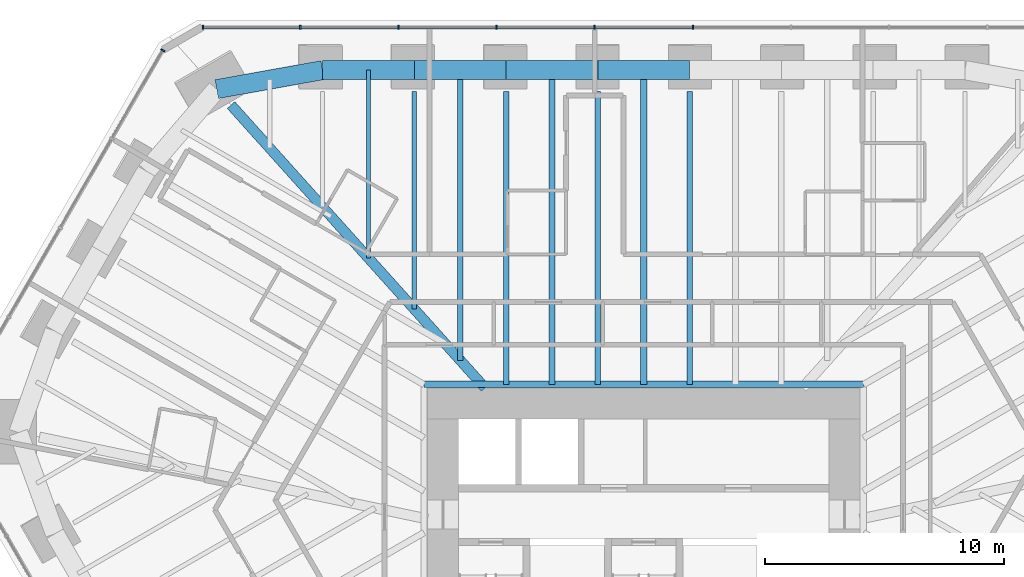
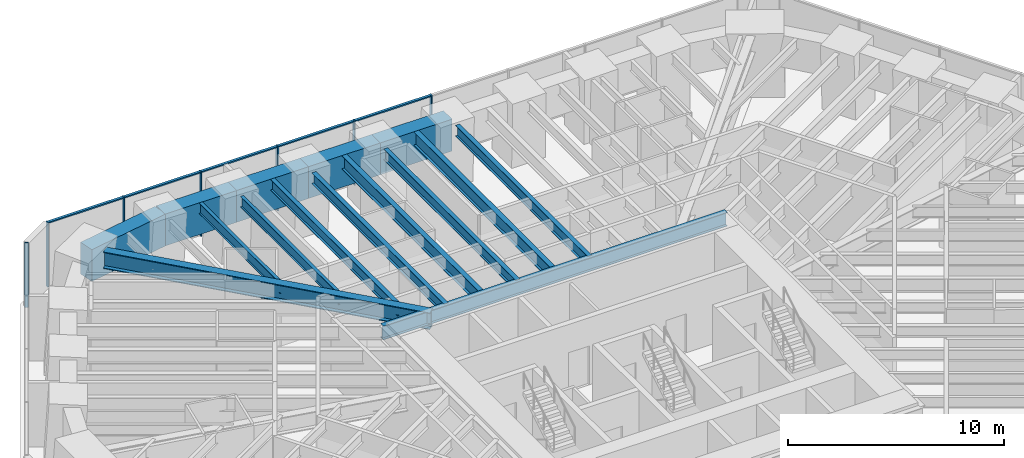
# One storey, part 8 of 18: 15 beams, 12 members, 2 elements without a shape of their own.
"""IFC4 building model written with IfcOpenShell, lengths in metres."""

import ifcopenshell
import ifcopenshell.guid

model = None  # the IFC model being written
_history = None  # IfcOwnerHistory: only IFC2X3 demands one
_inside = {}  # id of a spatial element -> (the spatial element, [elements in it])
_under = {}  # id of a project, library or spatial element -> (it, [spatial elements below it])
_declared = {}  # id of a project -> (the project, [libraries it declares])
_typed = {}  # id of a type object -> (the type object, [elements of that type])
_made_of = {}  # id of a material, layer set ... -> (it, [elements and type objects made of it])


def new_model(schema):
    """Start an empty IFC model of exactly this schema.

    Asked for "IFC4X3", IfcOpenShell would pick the latest addendum, in which some entities
    have other attributes; the version numbers below select the first issue.
    IFC2X3 requires an IfcOwnerHistory on every rooted entity: one is made here for all.
    """
    global model, _history
    if schema == "IFC4X3":
        model = ifcopenshell.file(schema_version=(4, 3, 0, 0))
    else:
        model = ifcopenshell.file(schema=schema)
    _inside.clear()
    _under.clear()
    _declared.clear()
    _typed.clear()
    _made_of.clear()
    _history = None
    if model.schema == "IFC2X3":
        org = make("IfcOrganization", Name="unknown")
        user = make(
            "IfcPersonAndOrganization",
            ThePerson=make("IfcPerson", FamilyName="unknown"),
            TheOrganization=org,
        )
        app = make(
            "IfcApplication",
            ApplicationDeveloper=org,
            Version="unknown",
            ApplicationFullName="unknown",
            ApplicationIdentifier="unknown",
        )
        _history = make(
            "IfcOwnerHistory",
            OwningUser=user,
            OwningApplication=app,
            ChangeAction="ADDED",
            CreationDate=0,
        )
    return model


def make(cls, **values):
    """One entity of the class cls with the attributes given. An attribute that is None is left unset."""
    return model.create_entity(
        cls, **{name: value for name, value in values.items() if value is not None}
    )


def rooted(cls, **values):
    """An entity with a GlobalId (a new one), such as an element, a storey or a relation."""
    return make(cls, GlobalId=ifcopenshell.guid.new(), OwnerHistory=_history, **values)


def si_unit(unit_type, name, prefix=None):
    """IfcSIUnit, for example si_unit("LENGTHUNIT", "METRE", prefix="MILLI")."""
    return make("IfcSIUnit", UnitType=unit_type, Prefix=prefix, Name=name)


def assignment(units):
    """IfcUnitAssignment: the units of a project."""
    return None if units is None else make("IfcUnitAssignment", Units=units)


def point(xyz):
    """IfcCartesianPoint."""
    return None if xyz is None else make("IfcCartesianPoint", Coordinates=xyz)


def direction(xyz):
    """IfcDirection."""
    return None if xyz is None else make("IfcDirection", DirectionRatios=xyz)


def frame(location, z_axis=None, x_axis=None):
    """IfcAxis2Placement3D, a coordinate frame: its origin and axes. An axis left out is left unset."""
    return make(
        "IfcAxis2Placement3D",
        Location=point(location),
        Axis=direction(z_axis),
        RefDirection=direction(x_axis),
    )


def frame_2d(location, x_axis=None):
    """IfcAxis2Placement2D, a coordinate frame in the plane: its origin and x axis."""
    return make(
        "IfcAxis2Placement2D", Location=point(location), RefDirection=direction(x_axis)
    )


def origin():
    """The frame at (0, 0, 0) with its axes left unset."""
    return frame((0.0, 0.0, 0.0))


def origin_2d():
    """The frame at (0, 0) in the plane with its x axis left unset."""
    return frame_2d((0.0, 0.0))


def place(relative_to, where):
    """IfcLocalPlacement: puts the frame where relative to a parent placement (None: the world)."""
    return make(
        "IfcLocalPlacement", PlacementRelTo=relative_to, RelativePlacement=where
    )


def context(
    kind, dimensions, precision=None, world=None, true_north=None, identifier=None
):
    """IfcGeometricRepresentationContext, for example the 3D "Model" context."""
    return make(
        "IfcGeometricRepresentationContext",
        ContextIdentifier=identifier,
        ContextType=kind,
        CoordinateSpaceDimension=dimensions,
        Precision=precision,
        WorldCoordinateSystem=world,
        TrueNorth=true_north,
    )


def subcontext(parent, identifier, kind, view, scale=None):
    """IfcGeometricRepresentationSubContext, for example "Body" below "Model"."""
    return make(
        "IfcGeometricRepresentationSubContext",
        ContextIdentifier=identifier,
        ContextType=kind,
        ParentContext=parent,
        TargetScale=scale,
        TargetView=view,
    )


def project(units=None, contexts=None):
    """IfcProject with its units and contexts."""
    return rooted(
        "IfcProject",
        Name="project",
        RepresentationContexts=contexts,
        UnitsInContext=assignment(units),
    )


def spatial(cls, under=None, at=None, **own):
    """A site, building, storey or space (cls), placed at a placement, below another one or the project."""
    s = rooted(cls, ObjectPlacement=at, **own)
    if under is not None:
        _under.setdefault(under.id(), (under, []))[1].append(s)
    return s


def profile(cls, at=None, kind="AREA", **sizes):
    """A parametric profile (cls). Its sizes go by their IFC names, for example OverallWidth=200.0."""
    return make(cls, ProfileType=kind, Position=at, **sizes)


def rectangle(**sizes):
    """IfcRectangleProfileDef."""
    return profile("IfcRectangleProfileDef", **sizes)


def i_section(**sizes):
    """IfcIShapeProfileDef."""
    return profile("IfcIShapeProfileDef", **sizes)


def extrude(swept, where, along, depth):
    """IfcExtrudedAreaSolid: the profile swept, set in the frame where, extruded along a direction by depth."""
    return make(
        "IfcExtrudedAreaSolid",
        SweptArea=swept,
        Position=where,
        ExtrudedDirection=direction(along),
        Depth=depth,
    )


def shape(context_of_items, identifier, shape_type, items):
    """IfcShapeRepresentation: the items that make up one representation, for example the "Body"."""
    return make(
        "IfcShapeRepresentation",
        ContextOfItems=context_of_items,
        RepresentationIdentifier=identifier,
        RepresentationType=shape_type,
        Items=items,
    )


def material(Name=None, Category=None):
    """IfcMaterial."""
    return make("IfcMaterial", Name=Name, Category=Category)


def material_profile(
    of_material, cross_section, Name=None, Category=None, Priority=None
):
    """IfcMaterialProfile: a cross section and its material."""
    return make(
        "IfcMaterialProfile",
        Name=Name,
        Material=of_material,
        Profile=cross_section,
        Priority=Priority,
        Category=Category,
    )


def profile_set(profiles, Name=None, composite=None):
    """IfcMaterialProfileSet."""
    return make(
        "IfcMaterialProfileSet",
        Name=Name,
        MaterialProfiles=profiles,
        CompositeProfile=composite,
    )


def made_of(thing, what):
    """Note that an element or type object is made of a material, layer set ...; save() writes the relation."""
    if what is not None:
        _made_of.setdefault(what.id(), (what, []))[1].append(thing)
    return thing


def type_object(cls, material=None, **own):
    """A type object (cls), such as IfcWallType, which elements share."""
    return made_of(rooted(cls, **own), material)


def element(
    cls,
    number,
    at=None,
    inside=None,
    cuts=None,
    type_object=None,
    material=None,
    context=None,
    identifier="Body",
    shape_type=None,
    held_by="IfcProductDefinitionShape",
    body=None,
    shapes=None,
    **own,
):
    """One element of the class cls, such as IfcWall. Its Tag is "e" and its number.

    at: its placement. inside: the storey or other place that contains it. cuts: it is an
    opening in that element (IfcRelVoidsElement). A single representation is given by context,
    identifier, shape_type and body (its items); several are given by shapes. held_by: the class
    of the entity that holds the representations. save() writes the other relations.
    """
    e = rooted(cls, Tag="e%d" % number, ObjectPlacement=at, **own)
    if body is not None:
        shapes = [shape(context, identifier, shape_type, body)]
    if shapes is not None:
        e.Representation = make(held_by, Representations=shapes)
    if inside is not None:
        _inside.setdefault(inside.id(), (inside, []))[1].append(e)
    if cuts is not None:
        rooted(
            "IfcRelVoidsElement", RelatingBuildingElement=cuts, RelatedOpeningElement=e
        )
    if type_object is not None:
        _typed.setdefault(type_object.id(), (type_object, []))[1].append(e)
    return made_of(e, material)


def aggregate(whole, parts):
    """IfcRelAggregates: a whole, such as a stair, and the parts it consists of."""
    return rooted("IfcRelAggregates", RelatingObject=whole, RelatedObjects=parts)


def save(model, path):
    """Write the relations noted so far, then the file.

    IfcRelAggregates (storeys below a building ...), IfcRelContainedInSpatialStructure (elements
    in a storey), IfcRelDefinesByType, IfcRelAssociatesMaterial and IfcRelDeclares: one each for
    every whole, place, type object, material and project.
    """
    for whole, parts in _under.values():
        aggregate(whole, parts)
    for where, things in _inside.values():
        rooted(
            "IfcRelContainedInSpatialStructure",
            RelatedElements=things,
            RelatingStructure=where,
        )
    for kind, things in _typed.values():
        rooted("IfcRelDefinesByType", RelatedObjects=things, RelatingType=kind)
    for what, things in _made_of.values():
        rooted("IfcRelAssociatesMaterial", RelatedObjects=things, RelatingMaterial=what)
    for by, libraries in _declared.values():
        rooted("IfcRelDeclares", RelatingContext=by, RelatedDefinitions=libraries)
    model.write(path)


model = new_model("IFC4")

# Units and contexts
model_context = context("Model", 3, precision=1e-05, world=origin(), true_north=direction((0.0, 1.0)))
body_context = subcontext(model_context, "Body", "Model", "MODEL_VIEW")
ifc_project = project(units=[si_unit("LENGTHUNIT", "METRE"), si_unit("AREAUNIT", "SQUARE_METRE"), si_unit("VOLUMEUNIT", "CUBIC_METRE"), si_unit("PLANEANGLEUNIT", "RADIAN"), si_unit("MASSUNIT", "GRAM", prefix="KILO")], contexts=[model_context])

# Site, building, storey
site_placement = place(None, origin())
site = spatial("IfcSite", under=ifc_project, at=site_placement, CompositionType="ELEMENT")
building_placement = place(site_placement, origin())
building = spatial("IfcBuilding", under=site, at=building_placement, Name="Sandreach Pilgrim Tower", CompositionType="ELEMENT")
storey_placement = place(building_placement, frame((0.0, 0.0, 157.60009765625)))
storey = spatial("IfcBuildingStorey", under=building, at=storey_placement, Name="L39", CompositionType="ELEMENT", Elevation=157.60009765625)

# Curtain wall, members
ifc_material_1 = material(Name="Aluminium framed curtain wall", Category="aluminium")
curtain_wall_type = type_object("IfcCurtainWallType", Name="Hotel tower curtain wall", PredefinedType="NOTDEFINED", material=ifc_material_1)
curtain_wall_1_placement = place(storey_placement, origin())
curtain_wall_1 = element("IfcCurtainWall", 1, at=curtain_wall_1_placement, inside=storey, type_object=curtain_wall_type, Name="CW-2 L39 N", PredefinedType="NOTDEFINED")
ifc_material_2 = material(Name="Aluminium extrusion", Category="aluminium")
ifc_material_profile_1 = material_profile(ifc_material_2, rectangle(XDim=0.06494140625, YDim=0.179931640625, at=origin_2d()), Name="CW-2M 65X180")
ifc_profile_set_1 = profile_set([ifc_material_profile_1], Name="Aluminium extrusion")
member_type_1 = type_object("IfcMemberType", Name="CW-2 mullion", PredefinedType="MULLION", material=ifc_profile_set_1)
member_1_placement = place(storey_placement, frame((-18.448974609375, 22.493896484375, 0.0), z_axis=(0.0, 0.0, 1.0), x_axis=(1.0, 0.0, 0.0)))
member_1 = element("IfcMember", 2, at=member_1_placement, type_object=member_type_1, Name="CW-2 mullion 1", PredefinedType="MULLION", context=body_context, shape_type="SweptSolid", body=[
    extrude(rectangle(XDim=0.06494140625, YDim=0.179931640625, at=origin_2d()), origin(), (0.0, 0.0, 1.0), 3.639892578125),
])
member_2_placement = place(storey_placement, frame((-14.37451171875, 22.493896484375, 0.0), z_axis=(0.0, 0.0, 1.0), x_axis=(1.0, 0.0, 0.0)))
member_2 = element("IfcMember", 3, at=member_2_placement, type_object=member_type_1, Name="CW-2 mullion 2", PredefinedType="MULLION", context=body_context, shape_type="SweptSolid", body=[
    extrude(rectangle(XDim=0.06494140625, YDim=0.179931640625, at=origin_2d()), origin(), (0.0, 0.0, 1.0), 3.639892578125),
])
member_3_placement = place(storey_placement, frame((-10.267333984375, 22.493896484375, 0.0), z_axis=(0.0, 0.0, 1.0), x_axis=(1.0, 0.0, 0.0)))
member_3 = element("IfcMember", 4, at=member_3_placement, type_object=member_type_1, Name="CW-2 mullion 3", PredefinedType="MULLION", context=body_context, shape_type="SweptSolid", body=[
    extrude(rectangle(XDim=0.06494140625, YDim=0.179931640625, at=origin_2d()), origin(), (0.0, 0.0, 1.0), 3.639892578125),
])
member_4_placement = place(storey_placement, frame((-6.160400390625, 22.493896484375, 0.0), z_axis=(0.0, 0.0, 1.0), x_axis=(1.0, 0.0, 0.0)))
member_4 = element("IfcMember", 5, at=member_4_placement, type_object=member_type_1, Name="CW-2 mullion 4", PredefinedType="MULLION", context=body_context, shape_type="SweptSolid", body=[
    extrude(rectangle(XDim=0.06494140625, YDim=0.179931640625, at=origin_2d()), origin(), (0.0, 0.0, 1.0), 3.639892578125),
])
member_5_placement = place(storey_placement, frame((-2.053466796875, 22.493896484375, 0.0), z_axis=(0.0, 0.0, 1.0), x_axis=(1.0, 0.0, 0.0)))
member_5 = element("IfcMember", 6, at=member_5_placement, type_object=member_type_1, Name="CW-2 mullion 5", PredefinedType="MULLION", context=body_context, shape_type="SweptSolid", body=[
    extrude(rectangle(XDim=0.06494140625, YDim=0.179931640625, at=origin_2d()), origin(), (0.0, 0.0, 1.0), 3.639892578125),
])
member_6_placement = place(storey_placement, frame((2.053466796875, 22.493896484375, 0.0), z_axis=(0.0, 0.0, 1.0), x_axis=(1.0, 0.0, 0.0)))
member_6 = element("IfcMember", 7, at=member_6_placement, type_object=member_type_1, Name="CW-2 mullion 6", PredefinedType="MULLION", context=body_context, shape_type="SweptSolid", body=[
    extrude(rectangle(XDim=0.06494140625, YDim=0.179931640625, at=origin_2d()), origin(), (0.0, 0.0, 1.0), 3.639892578125),
])

# Curtain wall, member
curtain_wall_2_placement = place(storey_placement, origin())
curtain_wall_2 = element("IfcCurtainWall", 8, at=curtain_wall_2_placement, inside=storey, type_object=curtain_wall_type, Name="CW-2 L39 NW", PredefinedType="NOTDEFINED")
member_7_placement = place(storey_placement, frame((-20.125732421875, 21.525634765625, 0.0), z_axis=(0.0, 0.0, 1.0), x_axis=(0.5, 0.866025403784, 0.0)))
member_7 = element("IfcMember", 9, at=member_7_placement, type_object=member_type_1, Name="CW-2 mullion 5", PredefinedType="MULLION", context=body_context, shape_type="SweptSolid", body=[
    extrude(rectangle(XDim=0.06494140625, YDim=0.179931640625, at=origin_2d()), origin(), (0.0, 0.0, 1.0), 3.639892578125),
])
aggregate(curtain_wall_2, [member_7])

# Member
ifc_material_3 = material(Name="Aluminium extrusion", Category="aluminium")
ifc_material_profile_2 = material_profile(ifc_material_3, rectangle(XDim=0.139892578125, YDim=0.070068359375, at=origin_2d()), Name="CW-2T 140X70")
ifc_profile_set_2 = profile_set([ifc_material_profile_2], Name="Aluminium extrusion")
member_type_2 = type_object("IfcMemberType", Name="CW-2 transom", PredefinedType="USERDEFINED", material=ifc_profile_set_2)
member_8_placement = place(storey_placement, frame((-18.416259765625, 22.493896484375, 3.60498046875), z_axis=(1.0, 0.0, 0.0), x_axis=(0.0, 1.0, 0.0)))
member_8 = element("IfcMember", 10, at=member_8_placement, type_object=member_type_2, Name="CW-2 head transom 1", ObjectType="TRANSOM", PredefinedType="USERDEFINED", context=body_context, shape_type="SweptSolid", body=[
    extrude(rectangle(XDim=0.139892578125, YDim=0.070068359375, at=origin_2d()), origin(), (0.0, 0.0, 1.0), 4.00927734375),
])

member_9_placement = place(storey_placement, frame((-14.341796875, 22.493896484375, 3.60498046875), z_axis=(1.0, 0.0, 0.0), x_axis=(0.0, 1.0, 0.0)))
member_9 = element("IfcMember", 11, at=member_9_placement, type_object=member_type_2, Name="CW-2 head transom 2", ObjectType="TRANSOM", PredefinedType="USERDEFINED", context=body_context, shape_type="SweptSolid", body=[
    extrude(rectangle(XDim=0.139892578125, YDim=0.070068359375, at=origin_2d()), origin(), (0.0, 0.0, 1.0), 4.041748046875),
])

member_10_placement = place(storey_placement, frame((-10.23486328125, 22.493896484375, 3.60498046875), z_axis=(1.0, 0.0, 0.0), x_axis=(0.0, 1.0, 0.0)))
member_10 = element("IfcMember", 12, at=member_10_placement, type_object=member_type_2, Name="CW-2 head transom 3", ObjectType="TRANSOM", PredefinedType="USERDEFINED", context=body_context, shape_type="SweptSolid", body=[
    extrude(rectangle(XDim=0.139892578125, YDim=0.070068359375, at=origin_2d()), origin(), (0.0, 0.0, 1.0), 4.0419921875),
])

member_11_placement = place(storey_placement, frame((-6.1279296875, 22.493896484375, 3.60498046875), z_axis=(1.0, 0.0, 0.0), x_axis=(0.0, 1.0, 0.0)))
member_11 = element("IfcMember", 13, at=member_11_placement, type_object=member_type_2, Name="CW-2 head transom 4", ObjectType="TRANSOM", PredefinedType="USERDEFINED", context=body_context, shape_type="SweptSolid", body=[
    extrude(rectangle(XDim=0.139892578125, YDim=0.070068359375, at=origin_2d()), origin(), (0.0, 0.0, 1.0), 4.0419921875),
])

member_12_placement = place(storey_placement, frame((-2.02099609375, 22.493896484375, 3.60498046875), z_axis=(1.0, 0.0, 0.0), x_axis=(0.0, 1.0, 0.0)))
member_12 = element("IfcMember", 14, at=member_12_placement, type_object=member_type_2, Name="CW-2 head transom 5", ObjectType="TRANSOM", PredefinedType="USERDEFINED", context=body_context, shape_type="SweptSolid", body=[
    extrude(rectangle(XDim=0.139892578125, YDim=0.070068359375, at=origin_2d()), origin(), (0.0, 0.0, 1.0), 4.0419921875),
])

aggregate(curtain_wall_1, [member_1, member_2, member_3, member_4, member_5, member_6, member_8, member_9, member_10, member_11, member_12])

# Beams
ifc_material_4 = material(Name="Steel ASTM A992 Grade 50", Category="steel")
ifc_material_profile_3 = material_profile(ifc_material_4, i_section(OverallWidth=0.2666015625, OverallDepth=0.77978515625, WebThickness=0.0166015625, FlangeThickness=0.030029296875, at=origin_2d()), Name="W30X148")
ifc_profile_set_3 = profile_set([ifc_material_profile_3], Name="Steel ASTM A992 Grade 50")
beam_type_1 = type_object("IfcBeamType", Name="Core edge beam W30X148", PredefinedType="BEAM", material=ifc_profile_set_3)
beam_1_placement = place(storey_placement, frame((-9.193359375, 7.54345703125, 3.25), z_axis=(1.0, 0.0, 0.0), x_axis=(0.0, 1.0, 0.0)))
element("IfcBeam", 15, at=beam_1_placement, inside=storey, type_object=beam_type_1, Name="BM L39 CEN", PredefinedType="BEAM", context=body_context, shape_type="SweptSolid", body=[
    extrude(i_section(OverallWidth=0.2666015625, OverallDepth=0.77978515625, WebThickness=0.0166015625, FlangeThickness=0.030029296875, at=origin_2d()), origin(), (0.0, 0.0, 1.0), 18.38671875),
])
ifc_material_5 = material(Name="Steel ASTM A992 Grade 50", Category="steel")
ifc_material_profile_4 = material_profile(ifc_material_5, i_section(OverallWidth=0.424072265625, OverallDepth=0.947509765625, WebThickness=0.02392578125, FlangeThickness=0.042724609375, at=origin_2d()), Name="W36X302")
ifc_profile_set_4 = profile_set([ifc_material_profile_4], Name="Steel ASTM A992 Grade 50")
beam_type_2 = type_object("IfcBeamType", Name="Corner girder W36X302", PredefinedType="BEAM", material=ifc_profile_set_4)
beam_2_placement = place(storey_placement, frame((-17.2685546875, 19.2314453125, 3.166259765625), z_axis=(0.668109241094, -0.744063197561, 0.0), x_axis=(0.744063197561, 0.668109241094, 0.0)))
element("IfcBeam", 16, at=beam_2_placement, inside=storey, type_object=beam_type_2, Name="BM L39 CG39", PredefinedType="BEAM", context=body_context, shape_type="SweptSolid", body=[
    extrude(i_section(OverallWidth=0.424072265625, OverallDepth=0.947509765625, WebThickness=0.02392578125, FlangeThickness=0.042724609375, at=origin_2d()), origin(), (0.0, 0.0, 1.0), 15.9013671875),
])
ifc_material_6 = material(Name="Steel ASTM A992 Grade 50", Category="steel")
ifc_material_profile_5 = material_profile(ifc_material_6, i_section(OverallWidth=0.1787109375, OverallDepth=0.60205078125, WebThickness=0.010986328125, FlangeThickness=0.014892578125, at=origin_2d()), Name="W24X62")
ifc_profile_set_5 = profile_set([ifc_material_profile_5], Name="Steel ASTM A992 Grade 50")
beam_type_3 = type_object("IfcBeamType", Name="Floor beam W24X62", PredefinedType="BEAM", material=ifc_profile_set_5)
beam_3_placement = place(storey_placement, frame((-9.599853515625, 19.794677734375, 3.3388671875), z_axis=(0.0, -1.0, 0.0), x_axis=(1.0, 0.0, 0.0)))
element("IfcBeam", 17, at=beam_3_placement, inside=storey, type_object=beam_type_3, Name="BM L39 F02", PredefinedType="BEAM", context=body_context, shape_type="SweptSolid", body=[
    extrude(i_section(OverallWidth=0.1787109375, OverallDepth=0.60205078125, WebThickness=0.010986328125, FlangeThickness=0.014892578125, at=origin_2d()), origin(), (0.0, 0.0, 1.0), 9.103759765625),
])
beam_4_placement = place(storey_placement, frame((-11.519775390625, 20.694580078125, 3.3388671875), z_axis=(0.0, -1.0, 0.0), x_axis=(1.0, 0.0, 0.0)))
element("IfcBeam", 18, at=beam_4_placement, inside=storey, type_object=beam_type_3, Name="BM L39 FM01", PredefinedType="BEAM", context=body_context, shape_type="SweptSolid", body=[
    extrude(i_section(OverallWidth=0.1787109375, OverallDepth=0.60205078125, WebThickness=0.010986328125, FlangeThickness=0.014892578125, at=origin_2d()), origin(), (0.0, 0.0, 1.0), 7.865478515625),
])
ifc_material_7 = material(Name="Steel ASTM A992 Grade 50", Category="steel")
ifc_material_profile_6 = material_profile(ifc_material_7, i_section(OverallWidth=0.23046875, OverallDepth=0.6171875, WebThickness=0.01318359375, FlangeThickness=0.022216796875, at=origin_2d()), Name="W24X94")
ifc_profile_set_6 = profile_set([ifc_material_profile_6], Name="Steel ASTM A992 Grade 50")
beam_type_4 = type_object("IfcBeamType", Name="Floor beam W24X94", PredefinedType="BEAM", material=ifc_profile_set_6)
for number, where, z_axis, x_axis, name in (
    (19, (-5.759765625, 19.794677734375, 3.331298828125), (0.0, -1.0, 0.0), (1.0, 0.0, 0.0), "BM L39 F03"),
    (20, (-1.919921875, 19.794677734375, 3.331298828125), (0.0, -1.0, 0.0), (1.0, 0.0, 0.0), "BM L39 F04"),
    (21, (1.919921875, 19.794677734375, 3.331298828125), (0.0, -1.0, 0.0), (1.0, 0.0, 0.0), "BM L39 F05"),
):
    element("IfcBeam", number, at=place(storey_placement, frame(where, z_axis=z_axis, x_axis=x_axis)), inside=storey, type_object=beam_type_4, Name=name, PredefinedType="BEAM", context=body_context, shape_type="SweptSolid", body=[
        extrude(i_section(OverallWidth=0.23046875, OverallDepth=0.6171875, WebThickness=0.01318359375, FlangeThickness=0.022216796875, at=origin_2d()), origin(), (0.0, 0.0, 1.0), 12.251220703125),
    ])
beam_5_placement = place(storey_placement, frame((-7.679931640625, 20.694580078125, 3.331298828125), z_axis=(0.0, -1.0, 0.0), x_axis=(1.0, 0.0, 0.0)))
element("IfcBeam", 22, at=beam_5_placement, inside=storey, type_object=beam_type_4, Name="BM L39 FM02", PredefinedType="BEAM", context=body_context, shape_type="SweptSolid", body=[
    extrude(i_section(OverallWidth=0.23046875, OverallDepth=0.6171875, WebThickness=0.01318359375, FlangeThickness=0.022216796875, at=origin_2d()), origin(), (0.0, 0.0, 1.0), 12.141845703125),
])
ifc_material_8 = material(Name="Steel ASTM A992 Grade 50", Category="steel")
ifc_material_profile_7 = material_profile(ifc_material_8, i_section(OverallWidth=0.2666015625, OverallDepth=0.761962890625, WebThickness=0.014404296875, FlangeThickness=0.021484375, at=origin_2d()), Name="W30X116")
ifc_profile_set_7 = profile_set([ifc_material_profile_7], Name="Steel ASTM A992 Grade 50")
beam_type_5 = type_object("IfcBeamType", Name="Floor beam W30X116", PredefinedType="BEAM", material=ifc_profile_set_7)
for number, where, z_axis, x_axis, name in (
    (23, (-3.83984375, 20.694580078125, 3.2587890625), (0.0, -1.0, 0.0), (1.0, 0.0, 0.0), "BM L39 FM03"),
    (24, (0.0, 20.694580078125, 3.2587890625), (0.0, -1.0, 0.0), (1.0, 0.0, 0.0), "BM L39 FM04"),
):
    element("IfcBeam", number, at=place(storey_placement, frame(where, z_axis=z_axis, x_axis=x_axis)), inside=storey, type_object=beam_type_5, Name=name, PredefinedType="BEAM", context=body_context, shape_type="SweptSolid", body=[
        extrude(i_section(OverallWidth=0.2666015625, OverallDepth=0.761962890625, WebThickness=0.014404296875, FlangeThickness=0.021484375, at=origin_2d()), origin(), (0.0, 0.0, 1.0), 13.151123046875),
    ])
ifc_material_9 = material(Name="Concrete 10000 psi", Category="concrete")
ifc_material_profile_8 = material_profile(ifc_material_9, rectangle(XDim=0.800048828125, YDim=1.800048828125, at=origin_2d()), Name="RC800X1800")
ifc_profile_set_8 = profile_set([ifc_material_profile_8], Name="Concrete 10000 psi")
beam_type_6 = type_object("IfcBeamType", Name="Spandrel beam RC800X1800", PredefinedType="SPANDREL", material=ifc_profile_set_8)
beam_6_placement = place(storey_placement, frame((-13.439697265625, 20.694580078125, 2.739990234375), z_axis=(1.0, 0.0, 0.0), x_axis=(0.0, 1.0, 0.0)))
element("IfcBeam", 25, at=beam_6_placement, inside=storey, type_object=beam_type_6, Name="BM L39 SP01", PredefinedType="SPANDREL", context=body_context, shape_type="SweptSolid", body=[
    extrude(rectangle(XDim=0.800048828125, YDim=1.800048828125, at=origin_2d()), origin(), (0.0, 0.0, 1.0), 3.83984375),
])
beam_7_placement = place(storey_placement, frame((-9.599853515625, 20.694580078125, 2.739990234375), z_axis=(1.0, 0.0, 0.0), x_axis=(0.0, 1.0, 0.0)))
element("IfcBeam", 26, at=beam_7_placement, inside=storey, type_object=beam_type_6, Name="BM L39 SP02", PredefinedType="SPANDREL", context=body_context, shape_type="SweptSolid", body=[
    extrude(rectangle(XDim=0.800048828125, YDim=1.800048828125, at=origin_2d()), origin(), (0.0, 0.0, 1.0), 3.840087890625),
])
for number, where, z_axis, x_axis, name in (
    (27, (-5.759765625, 20.694580078125, 2.739990234375), (1.0, 0.0, 0.0), (0.0, 1.0, 0.0), "BM L39 SP03"),
    (28, (-1.919921875, 20.694580078125, 2.739990234375), (1.0, 0.0, 0.0), (0.0, 1.0, 0.0), "BM L39 SP04"),
):
    element("IfcBeam", number, at=place(storey_placement, frame(where, z_axis=z_axis, x_axis=x_axis)), inside=storey, type_object=beam_type_6, Name=name, PredefinedType="SPANDREL", context=body_context, shape_type="SweptSolid", body=[
        extrude(rectangle(XDim=0.800048828125, YDim=1.800048828125, at=origin_2d()), origin(), (0.0, 0.0, 1.0), 3.83984375),
    ])
beam_8_placement = place(storey_placement, frame((-17.869873046875, 19.901123046875, 2.739990234375), z_axis=(0.98433692425, 0.176297531346, 0.0), x_axis=(-0.176297531346, 0.98433692425, 0.0)))
element("IfcBeam", 29, at=beam_8_placement, inside=storey, type_object=beam_type_6, Name="BM L39 SP39", PredefinedType="SPANDREL", context=body_context, shape_type="SweptSolid", body=[
    extrude(rectangle(XDim=0.800048828125, YDim=1.800048828125, at=origin_2d()), origin(), (0.0, 0.0, 1.0), 4.500732421875),
])

save(model, "model.ifc")
